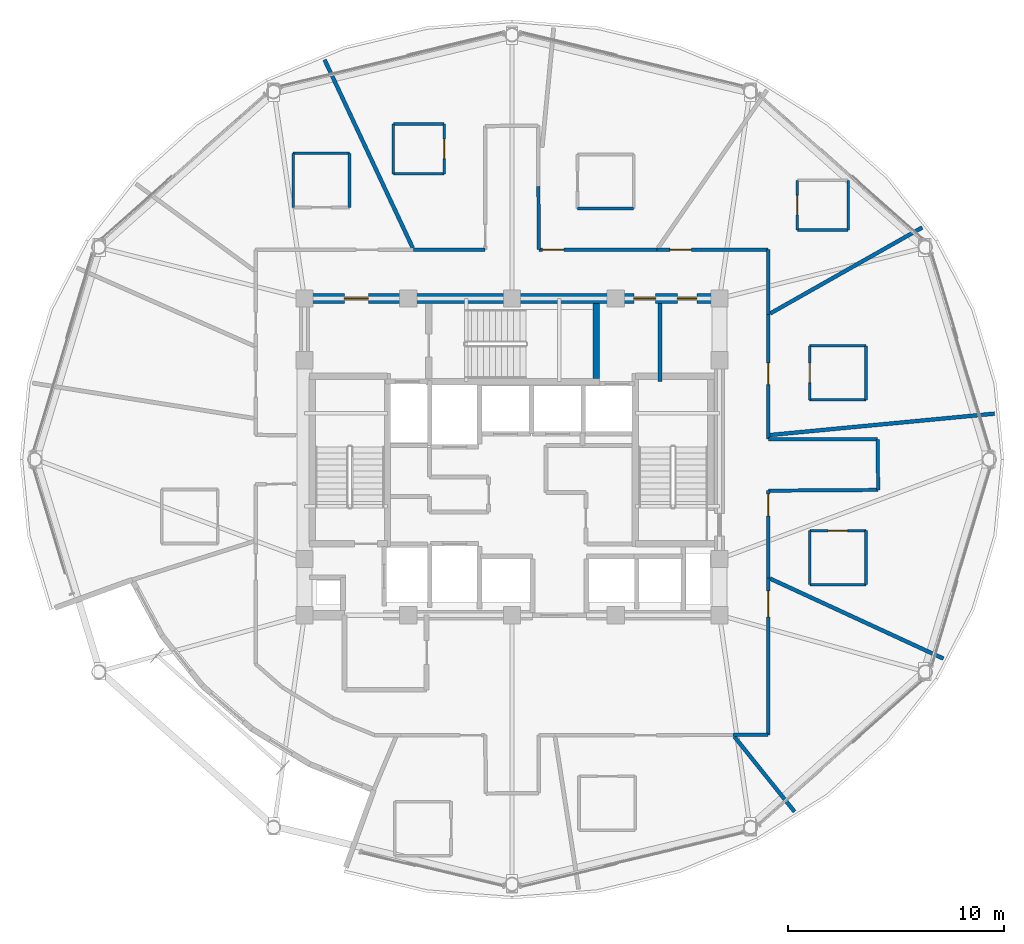
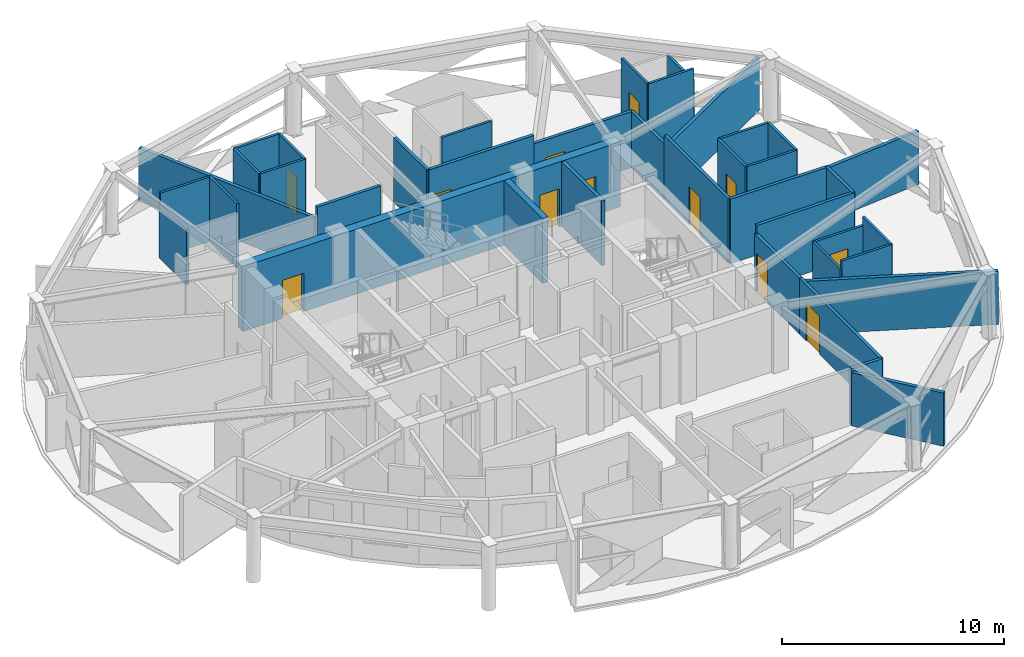
# One storey, part 13 of 18: 39 walls, 12 doors, 12 openings.
"""IFC4 building model written with IfcOpenShell, lengths in metres."""

from ifc_helpers import new_model, si_unit, direction, frame, frame_2d, origin, place, context, subcontext, project, spatial, rectangle, extrude, material, layer, layer_set, type_object, element, fill, save


model = new_model("IFC4")

# Units and contexts
model_context = context("Model", 3, precision=1e-05, world=origin(), true_north=direction((0.0, 1.0)))
body_context = subcontext(model_context, "Body", "Model", "MODEL_VIEW")
ifc_project = project(units=[si_unit("LENGTHUNIT", "METRE"), si_unit("AREAUNIT", "SQUARE_METRE"), si_unit("VOLUMEUNIT", "CUBIC_METRE"), si_unit("PLANEANGLEUNIT", "RADIAN"), si_unit("MASSUNIT", "GRAM", prefix="KILO")], contexts=[model_context])

# Site, building, storey
site_placement = place(None, origin())
site = spatial("IfcSite", under=ifc_project, at=site_placement, CompositionType="ELEMENT")
building_placement = place(site_placement, origin())
building = spatial("IfcBuilding", under=site, at=building_placement, Name="Vantalir Tower", CompositionType="ELEMENT")
storey_placement = place(building_placement, frame((0.0, 0.0, 216.14990234375)))
storey = spatial("IfcBuildingStorey", under=building, at=storey_placement, Name="L54", CompositionType="ELEMENT", Elevation=216.14990234375)

# Walls
ifc_material_1 = material(Name="Moisture-resistant en-suite partition", Category="gypsum")
ifc_layer_1 = layer(ifc_material_1, 0.125)
ifc_layer_set_1 = layer_set([ifc_layer_1], Name="Moisture-resistant en-suite partition")
wall_type_1 = type_object("IfcWallType", Name="WL-BATH-125", PredefinedType="PARTITIONING", material=ifc_layer_set_1)
for number, where, z_axis, x_axis, name in (
    (1, (45.27490234375, 27.760986328125, 0.0), (0.0, 0.0, 1.0), (1.0, 0.0, 0.0), "L54 En-suite 01 South Wall"),
    (2, (45.27490234375, 30.260986328125, 0.0), (0.0, 0.0, 1.0), (1.0, 0.0, 0.0), "L54 En-suite 01 North Wall"),
):
    element("IfcWall", number, at=place(storey_placement, frame(where, z_axis=z_axis, x_axis=x_axis)), inside=storey, type_object=wall_type_1, Name=name, PredefinedType="PARTITIONING", context=body_context, shape_type="SweptSolid", body=[
        extrude(rectangle(XDim=2.60009765625, YDim=0.125, at=frame_2d((1.300048828125, 0.0))), origin(), (0.0, 0.0, 1.0), 3.550048828125),
    ])

# Wall, opening, door
wall_1_placement = place(storey_placement, frame((45.27490234375, 27.760986328125, 0.0), z_axis=(0.0, 0.0, 1.0), x_axis=(0.0, 1.0, 0.0)))
wall_1 = element("IfcWall", 3, at=wall_1_placement, inside=storey, type_object=wall_type_1, Name="L54 En-suite 01 West Wall", PredefinedType="PARTITIONING", context=body_context, shape_type="SweptSolid", body=[
    extrude(rectangle(XDim=2.5, YDim=0.125, at=frame_2d((1.25, 0.0))), origin(), (0.0, 0.0, 1.0), 3.550048828125),
])
opening_1_placement = place(wall_1_placement, frame((0.800048828125, 0.0, 0.0)))
opening_1 = element("IfcOpeningElement", 4, at=opening_1_placement, cuts=wall_1, Name="Opening D-WC", PredefinedType="OPENING", context=body_context, shape_type="SweptSolid", body=[
    extrude(rectangle(XDim=0.89990234375, YDim=2.10009765625, at=frame_2d((0.449951171875, 1.050048828125))), frame((0.0, 0.072509765625, 0.0), z_axis=(0.0, -1.0, 0.0), x_axis=(1.0, 0.0, 0.0)), (0.0, 0.0, 1.0), 0.14501953125),
])
ifc_material_2 = material(Name="Moisture-resistant hardwood door", Category="wood")
door_type_1 = type_object("IfcDoorType", Name="DR-ENSUITE-900", OperationType="NOTDEFINED", PredefinedType="DOOR", material=ifc_material_2)
door_1_placement = place(opening_1_placement, frame((0.89990234375, 0.0, 0.0), z_axis=(0.0, 0.0, 1.0), x_axis=(-1.0, 0.0, 0.0)))
door_1 = element("IfcDoor", 5, at=door_1_placement, inside=storey, type_object=door_type_1, Name="L54 En-suite 01 Door", OperationType="SINGLE_SWING_RIGHT", OverallHeight=2.10009765625, OverallWidth=0.89990234375, PredefinedType="DOOR", context=body_context, shape_type="SweptSolid", body=[
    extrude(rectangle(XDim=0.89990234375, YDim=2.10009765625, at=frame_2d((0.449951171875, 1.050048828125))), frame((0.0, 0.02490234375, 0.0), z_axis=(0.0, -1.0, 0.0), x_axis=(1.0, 0.0, 0.0)), (0.0, 0.0, 1.0), 0.050048828125),
])
fill(opening_1, door_1)

# Walls
wall_2_placement = place(storey_placement, frame((47.875, 27.760986328125, 0.0), z_axis=(0.0, 0.0, 1.0), x_axis=(0.0, 1.0, 0.0)))
element("IfcWall", 6, at=wall_2_placement, inside=storey, type_object=wall_type_1, Name="L54 En-suite 01 East Wall", PredefinedType="PARTITIONING", context=body_context, shape_type="SweptSolid", body=[
    extrude(rectangle(XDim=2.5, YDim=0.125, at=frame_2d((1.25, 0.0))), origin(), (0.0, 0.0, 1.0), 3.550048828125),
])
wall_3_placement = place(storey_placement, frame((44.700927734375, 35.617919921875, 0.0), z_axis=(0.0, 0.0, 1.0), x_axis=(1.0, 0.0, 0.0)))
element("IfcWall", 7, at=wall_3_placement, inside=storey, type_object=wall_type_1, Name="L54 En-suite 02 South Wall", PredefinedType="PARTITIONING", context=body_context, shape_type="SweptSolid", body=[
    extrude(rectangle(XDim=2.35009765625, YDim=0.125, at=frame_2d((1.175048828125, 0.0))), origin(), (0.0, 0.0, 1.0), 3.550048828125),
])

# Wall, opening, door
wall_4_placement = place(storey_placement, frame((44.700927734375, 35.617919921875, 0.0), z_axis=(0.0, 0.0, 1.0), x_axis=(0.0, 1.0, 0.0)))
wall_4 = element("IfcWall", 8, at=wall_4_placement, inside=storey, type_object=wall_type_1, Name="L54 En-suite 02 West Wall", PredefinedType="PARTITIONING", context=body_context, shape_type="SweptSolid", body=[
    extrude(rectangle(XDim=2.300048828125, YDim=0.125, at=frame_2d((1.14990234375, 0.0))), origin(), (0.0, 0.0, 1.0), 3.550048828125),
])
opening_2_placement = place(wall_4_placement, frame((0.699951171875, 0.0, 0.0)))
opening_2 = element("IfcOpeningElement", 9, at=opening_2_placement, cuts=wall_4, Name="Opening D-WC", PredefinedType="OPENING", context=body_context, shape_type="SweptSolid", body=[
    extrude(rectangle(XDim=0.89990234375, YDim=2.10009765625, at=frame_2d((0.449951171875, 1.050048828125))), frame((0.0, 0.072509765625, 0.0), z_axis=(0.0, -1.0, 0.0), x_axis=(1.0, 0.0, 0.0)), (0.0, 0.0, 1.0), 0.14501953125),
])
door_2_placement = place(opening_2_placement, frame((0.89990234375, 0.0, 0.0), z_axis=(0.0, 0.0, 1.0), x_axis=(-1.0, 0.0, 0.0)))
door_2 = element("IfcDoor", 10, at=door_2_placement, inside=storey, type_object=door_type_1, Name="L54 En-suite 02 Door", OperationType="SINGLE_SWING_LEFT", OverallHeight=2.10009765625, OverallWidth=0.89990234375, PredefinedType="DOOR", context=body_context, shape_type="SweptSolid", body=[
    extrude(rectangle(XDim=0.89990234375, YDim=2.10009765625, at=frame_2d((0.449951171875, 1.050048828125))), frame((0.0, 0.02490234375, 0.0), z_axis=(0.0, -1.0, 0.0), x_axis=(1.0, 0.0, 0.0)), (0.0, 0.0, 1.0), 0.050048828125),
])
fill(opening_2, door_2)

# Walls
wall_5_placement = place(storey_placement, frame((47.051025390625, 35.617919921875, 0.0), z_axis=(0.0, 0.0, 1.0), x_axis=(0.0, 1.0, 0.0)))
element("IfcWall", 11, at=wall_5_placement, inside=storey, type_object=wall_type_1, Name="L54 En-suite 02 East Wall", PredefinedType="PARTITIONING", context=body_context, shape_type="SweptSolid", body=[
    extrude(rectangle(XDim=2.300048828125, YDim=0.125, at=frame_2d((1.14990234375, 0.0))), origin(), (0.0, 0.0, 1.0), 2.925048828125),
])
wall_6_placement = place(storey_placement, frame((34.530029296875, 36.617919921875, 0.0), z_axis=(0.0, 0.0, 1.0), x_axis=(1.0, 0.0, 0.0)))
element("IfcWall", 12, at=wall_6_placement, inside=storey, type_object=wall_type_1, Name="L54 En-suite 03 South Wall", PredefinedType="PARTITIONING", context=body_context, shape_type="SweptSolid", body=[
    extrude(rectangle(XDim=2.599853515625, YDim=0.125, at=frame_2d((1.2998046875, 0.0))), origin(), (0.0, 0.0, 1.0), 3.550048828125),
])
for number, where, z_axis, x_axis, name in (
    (13, (26.010986328125, 38.222900390625, 0.0), (0.0, 0.0, 1.0), (1.0, 0.0, 0.0), "L54 En-suite 04 South Wall"),
    (14, (26.010986328125, 40.52294921875, 0.0), (0.0, 0.0, 1.0), (1.0, 0.0, 0.0), "L54 En-suite 04 North Wall"),
):
    element("IfcWall", number, at=place(storey_placement, frame(where, z_axis=z_axis, x_axis=x_axis)), inside=storey, type_object=wall_type_1, Name=name, PredefinedType="PARTITIONING", context=body_context, shape_type="SweptSolid", body=[
        extrude(rectangle(XDim=2.35009765625, YDim=0.125, at=frame_2d((1.175048828125, 0.0))), origin(), (0.0, 0.0, 1.0), 3.550048828125),
    ])
wall_7_placement = place(storey_placement, frame((26.010986328125, 38.222900390625, 0.0), z_axis=(0.0, 0.0, 1.0), x_axis=(0.0, 1.0, 0.0)))
element("IfcWall", 15, at=wall_7_placement, inside=storey, type_object=wall_type_1, Name="L54 En-suite 04 West Wall", PredefinedType="PARTITIONING", context=body_context, shape_type="SweptSolid", body=[
    extrude(rectangle(XDim=2.300048828125, YDim=0.125, at=frame_2d((1.14990234375, 0.0))), origin(), (0.0, 0.0, 1.0), 3.550048828125),
])

# Wall, opening, door
wall_8_placement = place(storey_placement, frame((28.361083984375, 38.222900390625, 0.0), z_axis=(0.0, 0.0, 1.0), x_axis=(0.0, 1.0, 0.0)))
wall_8 = element("IfcWall", 16, at=wall_8_placement, inside=storey, type_object=wall_type_1, Name="L54 En-suite 04 East Wall", PredefinedType="PARTITIONING", context=body_context, shape_type="SweptSolid", body=[
    extrude(rectangle(XDim=2.300048828125, YDim=0.125, at=frame_2d((1.14990234375, 0.0))), origin(), (0.0, 0.0, 1.0), 3.550048828125),
])
opening_3_placement = place(wall_8_placement, frame((0.699951171875, 0.0, 0.0)))
opening_3 = element("IfcOpeningElement", 17, at=opening_3_placement, cuts=wall_8, Name="Opening D-WC", PredefinedType="OPENING", context=body_context, shape_type="SweptSolid", body=[
    extrude(rectangle(XDim=0.89990234375, YDim=2.10009765625, at=frame_2d((0.449951171875, 1.050048828125))), frame((0.0, 0.072509765625, 0.0), z_axis=(0.0, -1.0, 0.0), x_axis=(1.0, 0.0, 0.0)), (0.0, 0.0, 1.0), 0.14501953125),
])
door_3_placement = place(opening_3_placement, origin())
door_3 = element("IfcDoor", 18, at=door_3_placement, inside=storey, type_object=door_type_1, Name="L54 En-suite 04 Door", OperationType="SINGLE_SWING_LEFT", OverallHeight=2.10009765625, OverallWidth=0.89990234375, PredefinedType="DOOR", context=body_context, shape_type="SweptSolid", body=[
    extrude(rectangle(XDim=0.89990234375, YDim=2.10009765625, at=frame_2d((0.449951171875, 1.050048828125))), frame((0.0, 0.02490234375, 0.0), z_axis=(0.0, -1.0, 0.0), x_axis=(1.0, 0.0, 0.0)), (0.0, 0.0, 1.0), 0.050048828125),
])
fill(opening_3, door_3)

# Walls
wall_9_placement = place(storey_placement, frame((21.3779296875, 39.1650390625, 0.0), z_axis=(0.0, 0.0, 1.0), x_axis=(1.0, 0.0, 0.0)))
element("IfcWall", 19, at=wall_9_placement, inside=storey, type_object=wall_type_1, Name="L54 En-suite 05 North Wall", PredefinedType="PARTITIONING", context=body_context, shape_type="SweptSolid", body=[
    extrude(rectangle(XDim=2.60009765625, YDim=0.125, at=frame_2d((1.300048828125, 0.0))), origin(), (0.0, 0.0, 1.0), 3.550048828125),
])
wall_10_placement = place(storey_placement, frame((21.3779296875, 36.6650390625, 0.0), z_axis=(0.0, 0.0, 1.0), x_axis=(0.0, 1.0, 0.0)))
element("IfcWall", 20, at=wall_10_placement, inside=storey, type_object=wall_type_1, Name="L54 En-suite 05 West Wall", PredefinedType="PARTITIONING", context=body_context, shape_type="SweptSolid", body=[
    extrude(rectangle(XDim=2.5, YDim=0.125, at=frame_2d((1.25, 0.0))), origin(), (0.0, 0.0, 1.0), 3.0810546875),
])
wall_11_placement = place(storey_placement, frame((23.97802734375, 36.6650390625, 0.0), z_axis=(0.0, 0.0, 1.0), x_axis=(0.0, 1.0, 0.0)))
element("IfcWall", 21, at=wall_11_placement, inside=storey, type_object=wall_type_1, Name="L54 En-suite 05 East Wall", PredefinedType="PARTITIONING", context=body_context, shape_type="SweptSolid", body=[
    extrude(rectangle(XDim=2.5, YDim=0.125, at=frame_2d((1.25, 0.0))), origin(), (0.0, 0.0, 1.0), 3.550048828125),
])
wall_12_placement = place(storey_placement, frame((45.278076171875, 19.208984375, 0.0), z_axis=(0.0, 0.0, 1.0), x_axis=(1.0, 0.0, 0.0)))
element("IfcWall", 22, at=wall_12_placement, inside=storey, type_object=wall_type_1, Name="L54 En-suite 13 South Wall", PredefinedType="PARTITIONING", context=body_context, shape_type="SweptSolid", body=[
    extrude(rectangle(XDim=2.599853515625, YDim=0.125, at=frame_2d((1.2998046875, 0.0))), origin(), (0.0, 0.0, 1.0), 3.550048828125),
])

# Wall, opening, door
wall_13_placement = place(storey_placement, frame((45.278076171875, 21.708984375, 0.0), z_axis=(0.0, 0.0, 1.0), x_axis=(1.0, 0.0, 0.0)))
wall_13 = element("IfcWall", 23, at=wall_13_placement, inside=storey, type_object=wall_type_1, Name="L54 En-suite 13 North Wall", PredefinedType="PARTITIONING", context=body_context, shape_type="SweptSolid", body=[
    extrude(rectangle(XDim=2.599853515625, YDim=0.125, at=frame_2d((1.2998046875, 0.0))), origin(), (0.0, 0.0, 1.0), 3.0810546875),
])
opening_4_placement = place(wall_13_placement, frame((0.85009765625, 0.0, 0.0)))
opening_4 = element("IfcOpeningElement", 24, at=opening_4_placement, cuts=wall_13, Name="Opening D-WC", PredefinedType="OPENING", context=body_context, shape_type="SweptSolid", body=[
    extrude(rectangle(XDim=0.89990234375, YDim=2.10009765625, at=frame_2d((0.449951171875, 1.050048828125))), frame((0.0, 0.072509765625, 0.0), z_axis=(0.0, -1.0, 0.0), x_axis=(1.0, 0.0, 0.0)), (0.0, 0.0, 1.0), 0.14501953125),
])
door_4_placement = place(opening_4_placement, frame((0.89990234375, 0.0, 0.0), z_axis=(0.0, 0.0, 1.0), x_axis=(-1.0, 0.0, 0.0)))
door_4 = element("IfcDoor", 25, at=door_4_placement, inside=storey, type_object=door_type_1, Name="L54 En-suite 13 Door", OperationType="SINGLE_SWING_RIGHT", OverallHeight=2.10009765625, OverallWidth=0.89990234375, PredefinedType="DOOR", context=body_context, shape_type="SweptSolid", body=[
    extrude(rectangle(XDim=0.89990234375, YDim=2.10009765625, at=frame_2d((0.449951171875, 1.050048828125))), frame((0.0, 0.02490234375, 0.0), z_axis=(0.0, -1.0, 0.0), x_axis=(1.0, 0.0, 0.0)), (0.0, 0.0, 1.0), 0.050048828125),
])
fill(opening_4, door_4)

# Walls
wall_14_placement = place(storey_placement, frame((45.278076171875, 19.208984375, 0.0), z_axis=(0.0, 0.0, 1.0), x_axis=(0.0, 1.0, 0.0)))
element("IfcWall", 26, at=wall_14_placement, inside=storey, type_object=wall_type_1, Name="L54 En-suite 13 West Wall", PredefinedType="PARTITIONING", context=body_context, shape_type="SweptSolid", body=[
    extrude(rectangle(XDim=2.5, YDim=0.125, at=frame_2d((1.25, 0.0))), origin(), (0.0, 0.0, 1.0), 3.0810546875),
])
wall_15_placement = place(storey_placement, frame((47.8779296875, 19.208984375, 0.0), z_axis=(0.0, 0.0, 1.0), x_axis=(0.0, 1.0, 0.0)))
element("IfcWall", 27, at=wall_15_placement, inside=storey, type_object=wall_type_1, Name="L54 En-suite 13 East Wall", PredefinedType="PARTITIONING", context=body_context, shape_type="SweptSolid", body=[
    extrude(rectangle(XDim=2.5, YDim=0.125, at=frame_2d((1.25, 0.0))), origin(), (0.0, 0.0, 1.0), 3.550048828125),
])

# Wall, openings, doors
ifc_material_3 = material(Name="Concrete C50/60", Category="concrete")
ifc_layer_2 = layer(ifc_material_3, 0.449951171875)
ifc_layer_set_2 = layer_set([ifc_layer_2], Name="Concrete C50/60")
wall_type_2 = type_object("IfcWallType", Name="WL-CORE-450", PredefinedType="SHEAR", material=ifc_layer_set_2)
wall_16_placement = place(storey_placement, frame((21.675048828125, 32.449951171875, 0.0), z_axis=(0.0, 0.0, 1.0), x_axis=(1.0, 0.0, 0.0)))
wall_16 = element("IfcWall", 28, at=wall_16_placement, inside=storey, type_object=wall_type_2, Name="L54 Core Shear Wall North", PredefinedType="SHEAR", context=body_context, shape_type="SweptSolid", body=[
    extrude(rectangle(XDim=19.64990234375, YDim=0.449951171875, at=frame_2d((9.824951171875, 0.0))), origin(), (0.0, 0.0, 1.0), 3.570068359375),
])
opening_5_placement = place(wall_16_placement, frame((2.074951171875, 0.0, 0.0)))
opening_5 = element("IfcOpeningElement", 29, at=opening_5_placement, cuts=wall_16, Name="Opening D-FFL", PredefinedType="OPENING", context=body_context, shape_type="SweptSolid", body=[
    extrude(rectangle(XDim=1.10009765625, YDim=2.10009765625, at=frame_2d((0.550048828125, 1.050048828125))), frame((0.0, 0.23486328125, 0.0), z_axis=(0.0, -1.0, 0.0), x_axis=(1.0, 0.0, 0.0)), (0.0, 0.0, 1.0), 0.469970703125),
])
opening_6_placement = place(wall_16_placement, frame((15.465087890625, 0.0, 0.0)))
opening_6 = element("IfcOpeningElement", 30, at=opening_6_placement, cuts=wall_16, Name="Opening D-GUEST", PredefinedType="OPENING", context=body_context, shape_type="SweptSolid", body=[
    extrude(rectangle(XDim=1.0, YDim=2.10009765625, at=frame_2d((0.5, 1.050048828125))), frame((0.0, 0.23486328125, 0.0), z_axis=(0.0, -1.0, 0.0), x_axis=(1.0, 0.0, 0.0)), (0.0, 0.0, 1.0), 0.469970703125),
])
opening_7_placement = place(wall_16_placement, frame((17.47509765625, 0.0, 0.0)))
opening_7 = element("IfcOpeningElement", 31, at=opening_7_placement, cuts=wall_16, Name="Opening D-CR", PredefinedType="OPENING", context=body_context, shape_type="SweptSolid", body=[
    extrude(rectangle(XDim=0.89990234375, YDim=2.10009765625, at=frame_2d((0.449951171875, 1.050048828125))), frame((0.0, 0.23486328125, 0.0), z_axis=(0.0, -1.0, 0.0), x_axis=(1.0, 0.0, 0.0)), (0.0, 0.0, 1.0), 0.469970703125),
])
ifc_material_4 = material(Name="Fire-rated steel core service door", Category="steel")
door_type_2 = type_object("IfcDoorType", Name="DR-CORE-SERV-900", OperationType="NOTDEFINED", PredefinedType="DOOR", material=ifc_material_4)
door_5_placement = place(opening_7_placement, frame((0.89990234375, 0.0, 0.0), z_axis=(0.0, 0.0, 1.0), x_axis=(-1.0, 0.0, 0.0)))
door_5 = element("IfcDoor", 32, at=door_5_placement, inside=storey, type_object=door_type_2, Name="L54 Housekeeping and Linen Room Door", OperationType="SINGLE_SWING_RIGHT", OverallHeight=2.10009765625, OverallWidth=0.89990234375, PredefinedType="DOOR", context=body_context, shape_type="SweptSolid", body=[
    extrude(rectangle(XDim=0.89990234375, YDim=2.10009765625, at=frame_2d((0.449951171875, 1.050048828125))), frame((0.0, 0.02490234375, 0.0), z_axis=(0.0, -1.0, 0.0), x_axis=(1.0, 0.0, 0.0)), (0.0, 0.0, 1.0), 0.050048828125),
])
fill(opening_7, door_5)
ifc_material_5 = material(Name="Fire-rated acoustic steel door", Category="steel")
door_type_3 = type_object("IfcDoorType", Name="DR-FIRE-LOBBY-1100", OperationType="NOTDEFINED", PredefinedType="DOOR", material=ifc_material_5)
door_6_placement = place(opening_5_placement, frame((1.10009765625, 0.0, 0.0), z_axis=(0.0, 0.0, 1.0), x_axis=(-1.0, 0.0, 0.0)))
door_6 = element("IfcDoor", 33, at=door_6_placement, inside=storey, type_object=door_type_3, Name="L54 Firefighting Lobby East Access Door", OperationType="SINGLE_SWING_RIGHT", OverallHeight=2.10009765625, OverallWidth=1.10009765625, PredefinedType="DOOR", context=body_context, shape_type="SweptSolid", body=[
    extrude(rectangle(XDim=1.10009765625, YDim=2.10009765625, at=frame_2d((0.550048828125, 1.050048828125))), frame((0.0, 0.02490234375, 0.0), z_axis=(0.0, -1.0, 0.0), x_axis=(1.0, 0.0, 0.0)), (0.0, 0.0, 1.0), 0.050048828125),
])
fill(opening_5, door_6)
ifc_material_6 = material(Name="Solid-core teak veneer acoustic fire door", Category="wood")
door_type_4 = type_object("IfcDoorType", Name="DR-GUEST-ENTRY-1000", OperationType="NOTDEFINED", PredefinedType="DOOR", material=ifc_material_6)
door_7_placement = place(opening_6_placement, frame((1.0, 0.0, 0.0), z_axis=(0.0, 0.0, 1.0), x_axis=(-1.0, 0.0, 0.0)))
door_7 = element("IfcDoor", 34, at=door_7_placement, inside=storey, type_object=door_type_4, Name="L54 High-Rise Lift Lobby Door", OperationType="SINGLE_SWING_LEFT", OverallHeight=2.10009765625, OverallWidth=1.0, PredefinedType="DOOR", context=body_context, shape_type="SweptSolid", body=[
    extrude(rectangle(XDim=1.0, YDim=2.10009765625, at=frame_2d((0.5, 1.050048828125))), frame((0.0, 0.02490234375, 0.0), z_axis=(0.0, -1.0, 0.0), x_axis=(1.0, 0.0, 0.0)), (0.0, 0.0, 1.0), 0.050048828125),
])
fill(opening_6, door_7)

# Walls
ifc_material_7 = material(Name="Fire-rated hotel corridor acoustic partition", Category="gypsum")
ifc_layer_3 = layer(ifc_material_7, 0.159912109375)
ifc_layer_set_3 = layer_set([ifc_layer_3], Name="Fire-rated hotel corridor acoustic partition")
wall_type_3 = type_object("IfcWallType", Name="WL-CORR-160", PredefinedType="PARTITIONING", material=ifc_layer_set_3)
wall_17_placement = place(storey_placement, frame((26.947021484375, 34.7099609375, 0.0), z_axis=(0.0, 0.0, 1.0), x_axis=(0.999998802576, 0.001547529466, 0.0)))
element("IfcWall", 35, at=wall_17_placement, inside=storey, type_object=wall_type_3, Name="L54 Corridor Partition 07", PredefinedType="PARTITIONING", context=body_context, shape_type="SweptSolid", body=[
    extrude(rectangle(XDim=3.31298828125, YDim=0.159912109375, at=frame_2d((1.656494140625, 0.0))), origin(), (0.0, 0.0, 1.0), 3.550048828125),
])
wall_18_placement = place(storey_placement, frame((32.721923828125, 37.64404296875, 0.0), z_axis=(0.0, 0.0, 1.0), x_axis=(0.006168091382, -0.999980977143, 0.0)))
element("IfcWall", 36, at=wall_18_placement, inside=storey, type_object=wall_type_3, Name="L54 Corridor Partition 11", PredefinedType="PARTITIONING", context=body_context, shape_type="SweptSolid", body=[
    extrude(rectangle(XDim=2.928955078125, YDim=0.159912109375, at=frame_2d((1.46435546875, 0.0))), origin(), (0.0, 0.0, 1.0), 3.550048828125),
])

# Wall, opening, door
wall_19_placement = place(storey_placement, frame((32.739990234375, 34.715087890625, 0.0), z_axis=(0.0, 0.0, 1.0), x_axis=(0.999999831231, -0.000580979523, 0.0)))
wall_19 = element("IfcWall", 37, at=wall_19_placement, inside=storey, type_object=wall_type_3, Name="L54 Corridor Partition 12", PredefinedType="PARTITIONING", context=body_context, shape_type="SweptSolid", body=[
    extrude(rectangle(XDim=5.462890625, YDim=0.159912109375, at=frame_2d((2.7314453125, 0.0))), origin(), (0.0, 0.0, 1.0), 3.550048828125),
])
opening_8_placement = place(wall_19_placement, frame((0.159912109375, 0.0, 0.0)))
opening_8 = element("IfcOpeningElement", 38, at=opening_8_placement, cuts=wall_19, Name="Opening D-GUEST", PredefinedType="OPENING", context=body_context, shape_type="SweptSolid", body=[
    extrude(rectangle(XDim=1.0, YDim=2.10009765625, at=frame_2d((0.5, 1.050048828125))), frame((0.0, 0.08984375, 0.0), z_axis=(0.0, -1.0, 0.0), x_axis=(1.0, 0.0, 0.0)), (0.0, 0.0, 1.0), 0.179931640625),
])
door_8_placement = place(opening_8_placement, origin())
door_8 = element("IfcDoor", 39, at=door_8_placement, inside=storey, type_object=door_type_4, Name="L54 Twin Queen Hotel Room 03 Door", OperationType="SINGLE_SWING_RIGHT", OverallHeight=2.10009765625, OverallWidth=1.0, PredefinedType="DOOR", context=body_context, shape_type="SweptSolid", body=[
    extrude(rectangle(XDim=1.0, YDim=2.10009765625, at=frame_2d((0.5, 1.050048828125))), frame((0.0, 0.02490234375, 0.0), z_axis=(0.0, -1.0, 0.0), x_axis=(1.0, 0.0, 0.0)), (0.0, 0.0, 1.0), 0.050048828125),
])
fill(opening_8, door_8)

wall_20_placement = place(storey_placement, frame((38.202880859375, 34.7119140625, 0.0), z_axis=(0.0, 0.0, 1.0), x_axis=(0.999999711676, -0.000759373298, 0.0)))
wall_20 = element("IfcWall", 40, at=wall_20_placement, inside=storey, type_object=wall_type_3, Name="L54 Corridor Partition 13", PredefinedType="PARTITIONING", context=body_context, shape_type="SweptSolid", body=[
    extrude(rectangle(XDim=5.14404296875, YDim=0.159912109375, at=frame_2d((2.572021484375, 0.0))), origin(), (0.0, 0.0, 1.0), 3.0810546875),
])
opening_9_placement = place(wall_20_placement, frame((0.60107421875, 0.0, 0.0)))
opening_9 = element("IfcOpeningElement", 41, at=opening_9_placement, cuts=wall_20, Name="Opening D-GUEST", PredefinedType="OPENING", context=body_context, shape_type="SweptSolid", body=[
    extrude(rectangle(XDim=1.0, YDim=2.10009765625, at=frame_2d((0.5, 1.050048828125))), frame((0.0, 0.08984375, 0.0), z_axis=(0.0, -1.0, 0.0), x_axis=(1.0, 0.0, 0.0)), (0.0, 0.0, 1.0), 0.179931640625),
])
door_9_placement = place(opening_9_placement, origin())
door_9 = element("IfcDoor", 42, at=door_9_placement, inside=storey, type_object=door_type_4, Name="L54 Deluxe King Hotel Room 02 Door", OperationType="SINGLE_SWING_LEFT", OverallHeight=2.10009765625, OverallWidth=1.0, PredefinedType="DOOR", context=body_context, shape_type="SweptSolid", body=[
    extrude(rectangle(XDim=1.0, YDim=2.10009765625, at=frame_2d((0.5, 1.050048828125))), frame((0.0, 0.02490234375, 0.0), z_axis=(0.0, -1.0, 0.0), x_axis=(1.0, 0.0, 0.0)), (0.0, 0.0, 1.0), 0.050048828125),
])
fill(opening_9, door_9)

# Wall
wall_21_placement = place(storey_placement, frame((43.346923828125, 34.7080078125, 0.0), z_axis=(0.0, 0.0, 1.0), x_axis=(0.00203317732, -0.999997933093, 0.0)))
element("IfcWall", 43, at=wall_21_placement, inside=storey, type_object=wall_type_3, Name="L54 Corridor Partition 14", PredefinedType="PARTITIONING", context=body_context, shape_type="SweptSolid", body=[
    extrude(rectangle(XDim=3.001953125, YDim=0.159912109375, at=frame_2d((1.5009765625, 0.0))), origin(), (0.0, 0.0, 1.0), 3.0810546875),
])

# Wall, opening, door
wall_22_placement = place(storey_placement, frame((43.35302734375, 31.7060546875, 0.0), z_axis=(0.0, 0.0, 1.0), x_axis=(0.002074684332, -0.99999784784, 0.0)))
wall_22 = element("IfcWall", 44, at=wall_22_placement, inside=storey, type_object=wall_type_3, Name="L54 Corridor Partition 15", PredefinedType="PARTITIONING", context=body_context, shape_type="SweptSolid", body=[
    extrude(rectangle(XDim=5.76611328125, YDim=0.159912109375, at=frame_2d((2.883056640625, 0.0))), origin(), (0.0, 0.0, 1.0), 3.550048828125),
])
opening_10_placement = place(wall_22_placement, frame((2.235107421875, 0.0, 0.0)))
opening_10 = element("IfcOpeningElement", 45, at=opening_10_placement, cuts=wall_22, Name="Opening D-GUEST", PredefinedType="OPENING", context=body_context, shape_type="SweptSolid", body=[
    extrude(rectangle(XDim=1.0, YDim=2.10009765625, at=frame_2d((0.5, 1.050048828125))), frame((0.0, 0.08984375, 0.0), z_axis=(0.0, -1.0, 0.0), x_axis=(1.0, 0.0, 0.0)), (0.0, 0.0, 1.0), 0.179931640625),
])
door_10_placement = place(opening_10_placement, origin())
door_10 = element("IfcDoor", 46, at=door_10_placement, inside=storey, type_object=door_type_4, Name="L54 Twin Queen Hotel Room 01 Door", OperationType="SINGLE_SWING_RIGHT", OverallHeight=2.10009765625, OverallWidth=1.0, PredefinedType="DOOR", context=body_context, shape_type="SweptSolid", body=[
    extrude(rectangle(XDim=1.0, YDim=2.10009765625, at=frame_2d((0.5, 1.050048828125))), frame((0.0, 0.02490234375, 0.0), z_axis=(0.0, -1.0, 0.0), x_axis=(1.0, 0.0, 0.0)), (0.0, 0.0, 1.0), 0.050048828125),
])
fill(opening_10, door_10)

# Walls
wall_23_placement = place(storey_placement, frame((43.364990234375, 25.93994140625, 0.0), z_axis=(0.0, 0.0, 1.0), x_axis=(0.999999831724, -0.000580130432, 0.0)))
element("IfcWall", 47, at=wall_23_placement, inside=storey, type_object=wall_type_3, Name="L54 Corridor Partition 16", PredefinedType="PARTITIONING", context=body_context, shape_type="SweptSolid", body=[
    extrude(rectangle(XDim=5.050048828125, YDim=0.159912109375, at=frame_2d((2.52490234375, 0.0))), origin(), (0.0, 0.0, 1.0), 3.550048828125),
])
wall_24_placement = place(storey_placement, frame((48.4150390625, 25.93701171875, 0.0), z_axis=(0.0, 0.0, 1.0), x_axis=(0.010636586698, -0.999943429912, 0.0)))
element("IfcWall", 48, at=wall_24_placement, inside=storey, type_object=wall_type_3, Name="L54 Corridor Partition 17", PredefinedType="PARTITIONING", context=body_context, shape_type="SweptSolid", body=[
    extrude(rectangle(XDim=2.34130859375, YDim=0.159912109375, at=frame_2d((1.170654296875, 0.0))), origin(), (0.0, 0.0, 1.0), 3.550048828125),
])
wall_25_placement = place(storey_placement, frame((48.43994140625, 23.595947265625, 0.0), z_axis=(0.0, 0.0, 1.0), x_axis=(-0.999974996273, -0.007071550702, 0.0)))
element("IfcWall", 49, at=wall_25_placement, inside=storey, type_object=wall_type_3, Name="L54 Corridor Partition 18", PredefinedType="PARTITIONING", context=body_context, shape_type="SweptSolid", body=[
    extrude(rectangle(XDim=5.0751953125, YDim=0.159912109375, at=frame_2d((2.53759765625, 0.0))), origin(), (0.0, 0.0, 1.0), 3.550048828125),
])

# Wall, opening, door
wall_26_placement = place(storey_placement, frame((43.364990234375, 23.56005859375, 0.0), z_axis=(0.0, 0.0, 1.0), x_axis=(-0.001211312781, -0.99999926636, 0.0)))
wall_26 = element("IfcWall", 50, at=wall_26_placement, inside=storey, type_object=wall_type_3, Name="L54 Corridor Partition 19", PredefinedType="PARTITIONING", context=body_context, shape_type="SweptSolid", body=[
    extrude(rectangle(XDim=4.031005859375, YDim=0.159912109375, at=frame_2d((2.015625, 0.0))), origin(), (0.0, 0.0, 1.0), 3.0810546875),
])
opening_11_placement = place(wall_26_placement, frame((0.159912109375, 0.0, 0.0)))
opening_11 = element("IfcOpeningElement", 51, at=opening_11_placement, cuts=wall_26, Name="Opening D-GUEST", PredefinedType="OPENING", context=body_context, shape_type="SweptSolid", body=[
    extrude(rectangle(XDim=1.0, YDim=2.10009765625, at=frame_2d((0.5, 1.050048828125))), frame((0.0, 0.08984375, 0.0), z_axis=(0.0, -1.0, 0.0), x_axis=(1.0, 0.0, 0.0)), (0.0, 0.0, 1.0), 0.179931640625),
])
door_11_placement = place(opening_11_placement, origin())
door_11 = element("IfcDoor", 52, at=door_11_placement, inside=storey, type_object=door_type_4, Name="L54 Twin Queen Hotel Room 13 Door", OperationType="SINGLE_SWING_RIGHT", OverallHeight=2.10009765625, OverallWidth=1.0, PredefinedType="DOOR", context=body_context, shape_type="SweptSolid", body=[
    extrude(rectangle(XDim=1.0, YDim=2.10009765625, at=frame_2d((0.5, 1.050048828125))), frame((0.0, 0.02490234375, 0.0), z_axis=(0.0, -1.0, 0.0), x_axis=(1.0, 0.0, 0.0)), (0.0, 0.0, 1.0), 0.050048828125),
])
fill(opening_11, door_11)

wall_27_placement = place(storey_placement, frame((43.360107421875, 19.529052734375, 0.0), z_axis=(0.0, 0.0, 1.0), x_axis=(-0.001376854092, -0.999999052136, 0.0)))
wall_27 = element("IfcWall", 53, at=wall_27_placement, inside=storey, type_object=wall_type_3, Name="L54 Corridor Partition 20", PredefinedType="PARTITIONING", context=body_context, shape_type="SweptSolid", body=[
    extrude(rectangle(XDim=7.27001953125, YDim=0.159912109375, at=frame_2d((3.635009765625, 0.0))), origin(), (0.0, 0.0, 1.0), 3.0810546875),
])
opening_12_placement = place(wall_27_placement, frame((0.60205078125, 0.0, 0.0)))
opening_12 = element("IfcOpeningElement", 54, at=opening_12_placement, cuts=wall_27, Name="Opening D-STE", PredefinedType="OPENING", context=body_context, shape_type="SweptSolid", body=[
    extrude(rectangle(XDim=1.199951171875, YDim=2.10009765625, at=frame_2d((0.60009765625, 1.050048828125))), frame((0.0, 0.08984375, 0.0), z_axis=(0.0, -1.0, 0.0), x_axis=(1.0, 0.0, 0.0)), (0.0, 0.0, 1.0), 0.179931640625),
])
ifc_material_8 = material(Name="Solid-core teak veneer suite entrance door", Category="wood")
door_type_5 = type_object("IfcDoorType", Name="DR-SUITE-ENTRY-1200", OperationType="NOTDEFINED", PredefinedType="DOOR", material=ifc_material_8)
door_12_placement = place(opening_12_placement, origin())
door_12 = element("IfcDoor", 55, at=door_12_placement, inside=storey, type_object=door_type_5, Name="L54 Club Reading Lounge 12 Door", OperationType="SINGLE_SWING_LEFT", OverallHeight=2.10009765625, OverallWidth=1.199951171875, PredefinedType="DOOR", context=body_context, shape_type="SweptSolid", body=[
    extrude(rectangle(XDim=1.199951171875, YDim=2.10009765625, at=frame_2d((0.60009765625, 1.050048828125))), frame((0.0, 0.02490234375, 0.0), z_axis=(0.0, -1.0, 0.0), x_axis=(1.0, 0.0, 0.0)), (0.0, 0.0, 1.0), 0.050048828125),
])
fill(opening_12, door_12)

# Walls
wall_28_placement = place(storey_placement, frame((43.35009765625, 12.259033203125, 0.0), z_axis=(0.0, 0.0, 1.0), x_axis=(-0.999999819423, -0.00060096143, 0.0)))
element("IfcWall", 56, at=wall_28_placement, inside=storey, type_object=wall_type_3, Name="L54 Corridor Partition 21", PredefinedType="PARTITIONING", context=body_context, shape_type="SweptSolid", body=[
    extrude(rectangle(XDim=1.625, YDim=0.159912109375, at=frame_2d((0.8125, 0.0))), origin(), (0.0, 0.0, 1.0), 3.0810546875),
])
ifc_material_9 = material(Name="Twin-stud acoustic fire-rated gypsum partition", Category="gypsum")
ifc_layer_4 = layer(ifc_material_9, 0.179931640625)
ifc_layer_set_4 = layer_set([ifc_layer_4], Name="Twin-stud acoustic fire-rated gypsum partition")
wall_type_4 = type_object("IfcWallType", Name="WL-GUEST-180", PredefinedType="PARTITIONING", material=ifc_layer_set_4)
wall_29_placement = place(storey_placement, frame((38.340087890625, 28.6201171875, 0.0), z_axis=(0.0, 0.0, 1.0), x_axis=(0.0, 1.0, 0.0)))
element("IfcWall", 57, at=wall_29_placement, inside=storey, type_object=wall_type_4, Name="L54 High-Rise Lift Lobby East Wall", PredefinedType="PARTITIONING", context=body_context, shape_type="SweptSolid", body=[
    extrude(rectangle(XDim=3.60498046875, YDim=0.179931640625, at=frame_2d((1.802490234375, 0.0))), origin(), (0.0, 0.0, 1.0), 3.550048828125),
])
wall_30_placement = place(storey_placement, frame((43.43994140625, 26.135986328125, 0.0), z_axis=(0.0, 0.0, 1.0), x_axis=(0.995498311275, 0.094779281745, 0.0)))
element("IfcWall", 58, at=wall_30_placement, inside=storey, type_object=wall_type_4, Name="L54 Radial Suite Partition 01", PredefinedType="PARTITIONING", context=body_context, shape_type="SweptSolid", body=[
    extrude(rectangle(XDim=10.434814453125, YDim=0.179931640625, at=frame_2d((5.21728515625, 0.0))), origin(), (0.0, 0.0, 1.0), 2.925048828125),
])
wall_31_placement = place(storey_placement, frame((43.43994140625, 31.7548828125, 0.0), z_axis=(0.0, 0.0, 1.0), x_axis=(0.870350829843, 0.492432160802, 0.0)))
element("IfcWall", 59, at=wall_31_placement, inside=storey, type_object=wall_type_4, Name="L54 Radial Suite Partition 02", PredefinedType="PARTITIONING", context=body_context, shape_type="SweptSolid", body=[
    extrude(rectangle(XDim=8.088623046875, YDim=0.179931640625, at=frame_2d((4.04443359375, 0.0))), origin(), (0.0, 0.0, 1.0), 2.925048828125),
])
wall_32_placement = place(storey_placement, frame((26.909912109375, 34.7900390625, 0.0), z_axis=(0.0, 0.0, 1.0), x_axis=(-0.424485911605, 0.905434542553, 0.0)))
element("IfcWall", 60, at=wall_32_placement, inside=storey, type_object=wall_type_4, Name="L54 Radial Suite Partition 05", PredefinedType="PARTITIONING", context=body_context, shape_type="SweptSolid", body=[
    extrude(rectangle(XDim=9.616455078125, YDim=0.179931640625, at=frame_2d((4.80810546875, 0.0))), origin(), (0.0, 0.0, 1.0), 2.925048828125),
])
wall_33_placement = place(storey_placement, frame((41.7919921875, 12.175048828125, 0.0), z_axis=(0.0, 0.0, 1.0), x_axis=(0.625894170608, -0.779907999189, 0.0)))
element("IfcWall", 61, at=wall_33_placement, inside=storey, type_object=wall_type_4, Name="L54 Radial Suite Partition 12", PredefinedType="PARTITIONING", context=body_context, shape_type="SweptSolid", body=[
    extrude(rectangle(XDim=4.441650390625, YDim=0.179931640625, at=frame_2d((2.220703125, 0.0))), origin(), (0.0, 0.0, 1.0), 2.925048828125),
])
wall_34_placement = place(storey_placement, frame((43.43994140625, 19.491943359375, 0.0), z_axis=(0.0, 0.0, 1.0), x_axis=(0.908028139302, -0.418909176594, 0.0)))
element("IfcWall", 62, at=wall_34_placement, inside=storey, type_object=wall_type_4, Name="L54 Radial Suite Partition 13", PredefinedType="PARTITIONING", context=body_context, shape_type="SweptSolid", body=[
    extrude(rectangle(XDim=8.832275390625, YDim=0.179931640625, at=frame_2d((4.416015625, 0.0))), origin(), (0.0, 0.0, 1.0), 2.925048828125),
])
ifc_layer_5 = layer(ifc_material_3, 0.300048828125)
ifc_layer_set_5 = layer_set([ifc_layer_5], Name="Concrete C50/60")
wall_type_5 = type_object("IfcWallType", Name="WL-STAIR-300", PredefinedType="SHEAR", material=ifc_layer_set_5)
wall_35_placement = place(storey_placement, frame((35.39990234375, 28.75, 0.0), z_axis=(0.0, 0.0, 1.0), x_axis=(0.0, 1.0, 0.0)))
element("IfcWall", 63, at=wall_35_placement, inside=storey, type_object=wall_type_5, Name="L54 Stair ST3 East Wall", PredefinedType="SHEAR", context=body_context, shape_type="SweptSolid", body=[
    extrude(rectangle(XDim=3.47509765625, YDim=0.300048828125, at=frame_2d((1.737548828125, 0.0))), origin(), (0.0, 0.0, 1.0), 3.570068359375),
])

save(model, "model.ifc")
